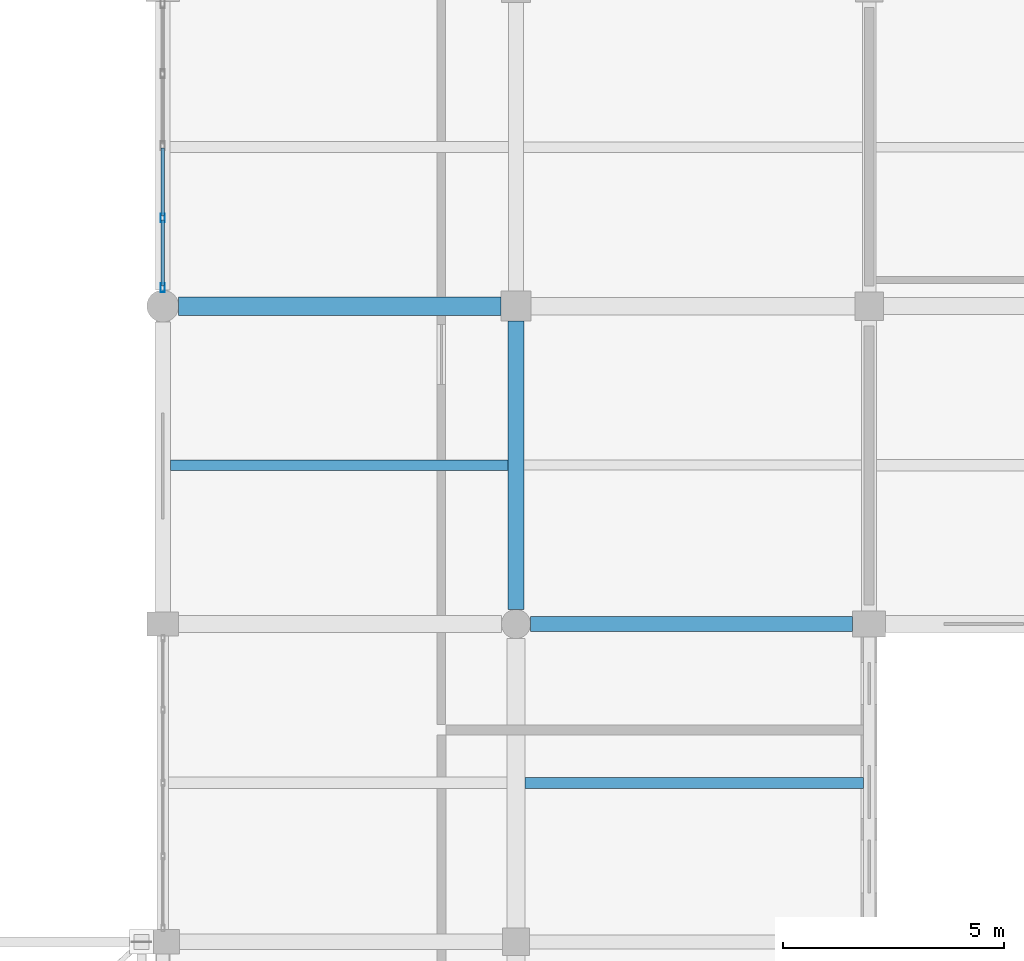
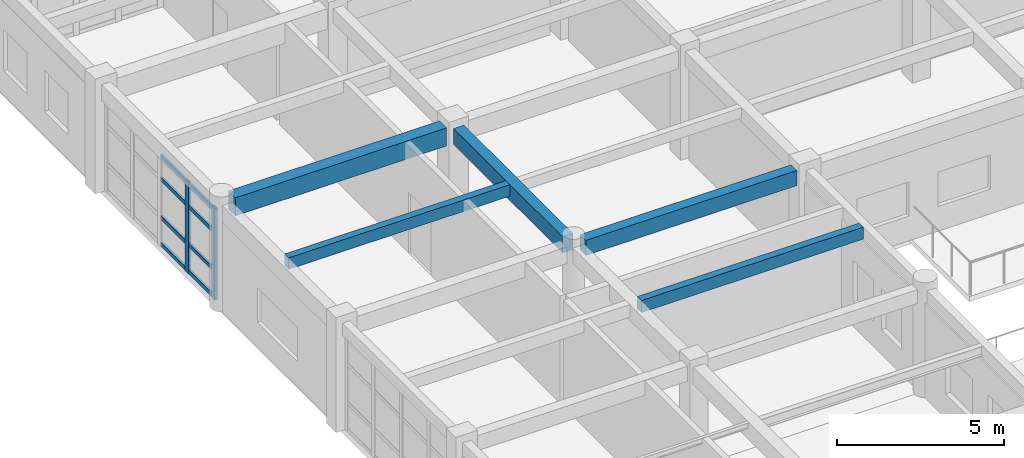
# One storey, part 109 of 195: 10 members, 5 beams, 1 element without a shape of its own.
"""IFC4 building model written with IfcOpenShell, lengths in metres."""

from ifc_helpers import new_model, si_unit, direction, frame, origin, origin_2d, place, context, subcontext, project, spatial, rectangle, hollow_rectangle, extrude, material, material_profile, profile_set, type_object, element, aggregate, save


model = new_model("IFC4")

# Units and contexts
model_context = context("Model", 3, precision=1e-05, world=origin(), true_north=direction((0.0, 1.0)))
body_context = subcontext(model_context, "Body", "Model", "MODEL_VIEW")
ifc_project = project(units=[si_unit("LENGTHUNIT", "METRE"), si_unit("AREAUNIT", "SQUARE_METRE"), si_unit("VOLUMEUNIT", "CUBIC_METRE"), si_unit("PLANEANGLEUNIT", "RADIAN"), si_unit("MASSUNIT", "GRAM", prefix="KILO")], contexts=[model_context])

# Site, building, storey
site_placement = place(None, origin())
site = spatial("IfcSite", under=ifc_project, at=site_placement, CompositionType="ELEMENT")
building_placement = place(site_placement, origin())
building = spatial("IfcBuilding", under=site, at=building_placement, Name="Kharva Crest Polytechnic", CompositionType="ELEMENT")
storey_placement = place(building_placement, frame((0.0, 0.0, 9.0)))
storey = spatial("IfcBuildingStorey", under=building, at=storey_placement, Name="L02", CompositionType="ELEMENT", Elevation=9.0)

# Beams
ifc_material_1 = material(Name="Concrete C35/45", Category="concrete")
ifc_material_profile_1 = material_profile(ifc_material_1, rectangle(XDim=0.35009765625, YDim=0.550048828125, at=origin_2d()), Name="RECT 350 X 550")
ifc_profile_set_1 = profile_set([ifc_material_profile_1], Name="Concrete C35/45")
beam_type_1 = type_object("IfcBeamType", Name="BM-RC-350X550", PredefinedType="BEAM", material=ifc_profile_set_1)
beam_1_placement = place(storey_placement, frame((40.330078125, 100.39990234375, 3.64501953125), z_axis=(1.0, 0.0, 0.0), x_axis=(0.0, 1.0, 0.0)))
element("IfcBeam", 1, at=beam_1_placement, inside=storey, type_object=beam_type_1, Name="L02 Beam P/6-7", PredefinedType="BEAM", context=body_context, shape_type="SweptSolid", body=[
    extrude(rectangle(XDim=0.35009765625, YDim=0.550048828125, at=origin_2d()), origin(), (0.0, 0.0, 1.0), 7.294921875),
])
ifc_material_profile_2 = material_profile(ifc_material_1, rectangle(XDim=0.360107421875, YDim=0.580078125, at=origin_2d()), Name="RECT 360 X 580")
ifc_profile_set_2 = profile_set([ifc_material_profile_2], Name="Concrete C35/45")
beam_type_2 = type_object("IfcBeamType", Name="BM-RC-360X580", PredefinedType="BEAM", material=ifc_profile_set_2)
beam_2_placement = place(storey_placement, frame((40.0, 100.72998046875, 3.6298828125), z_axis=(0.0, 1.0, 0.0), x_axis=(-1.0, 0.0, 0.0)))
element("IfcBeam", 2, at=beam_2_placement, inside=storey, type_object=beam_type_2, Name="L02 Girder 6/P-Q", PredefinedType="BEAM", context=body_context, shape_type="SweptSolid", body=[
    extrude(rectangle(XDim=0.360107421875, YDim=0.580078125, at=origin_2d()), origin(), (0.0, 0.0, 1.0), 6.530029296875),
])
ifc_material_profile_3 = material_profile(ifc_material_1, rectangle(XDim=0.419921875, YDim=0.659912109375, at=origin_2d()), Name="RECT 420 X 660")
ifc_profile_set_3 = profile_set([ifc_material_profile_3], Name="Concrete C35/45")
beam_type_3 = type_object("IfcBeamType", Name="BM-RC-420X660", PredefinedType="BEAM", material=ifc_profile_set_3)
beam_3_placement = place(storey_placement, frame((32.360107421875, 107.60009765625, 3.590087890625), z_axis=(1.0, 0.0, 0.0), x_axis=(0.0, 1.0, 0.0)))
element("IfcBeam", 3, at=beam_3_placement, inside=storey, type_object=beam_type_3, Name="L02 Beam Q/5-6", PredefinedType="BEAM", context=body_context, shape_type="SweptSolid", body=[
    extrude(rectangle(XDim=0.419921875, YDim=0.659912109375, at=origin_2d()), origin(), (0.0, 0.0, 1.0), 7.2998046875),
])

# Curtain wall, members
ifc_material_2 = material(Name="Tempered insulated glass", Category="glass")
curtain_wall_type = type_object("IfcCurtainWallType", Name="CW-SYS-LIBRARY", PredefinedType="USERDEFINED", material=ifc_material_2)
curtain_wall_placement = place(storey_placement, origin())
curtain_wall = element("IfcCurtainWall", 4, at=curtain_wall_placement, inside=storey, type_object=curtain_wall_type, Name="L02 Glazed Curtain Wall CW-123", ObjectType="CURTAIN WALL", PredefinedType="USERDEFINED")
ifc_material_3 = material(Name="Steel S355", Category="steel")
ifc_material_profile_4 = material_profile(ifc_material_3, hollow_rectangle(XDim=0.10009765625, YDim=0.199951171875, WallThickness=0.00634765625, at=origin_2d()), Name="RHS 200X100X6.3")
ifc_profile_set_4 = profile_set([ifc_material_profile_4], Name="Steel S355")
member_type_1 = type_object("IfcMemberType", Name="CWM-RHS200X100", PredefinedType="MULLION", material=ifc_profile_set_4)
member_1_placement = place(storey_placement, frame((32.0, 109.597412109375, 0.0), z_axis=(0.0, 0.0, 1.0), x_axis=(1.0, 0.0, 0.0)))
member_1 = element("IfcMember", 5, at=member_1_placement, type_object=member_type_1, Name="CW-123 mullion 4", PredefinedType="MULLION", context=body_context, shape_type="SweptSolid", body=[
    extrude(hollow_rectangle(XDim=0.10009765625, YDim=0.199951171875, WallThickness=0.00634765625, at=origin_2d()), origin(), (0.0, 0.0, 1.0), 3.340087890625),
])
member_2_placement = place(storey_placement, frame((32.0, 108.014892578125, 0.0), z_axis=(0.0, 0.0, 1.0), x_axis=(1.0, 0.0, 0.0)))
member_2 = element("IfcMember", 6, at=member_2_placement, type_object=member_type_1, Name="CW-123 mullion 5", PredefinedType="MULLION", context=body_context, shape_type="SweptSolid", body=[
    extrude(hollow_rectangle(XDim=0.10009765625, YDim=0.199951171875, WallThickness=0.00634765625, at=origin_2d()), origin(), (0.0, 0.0, 1.0), 3.340087890625),
])
ifc_material_profile_5 = material_profile(ifc_material_3, hollow_rectangle(XDim=0.070068359375, YDim=0.139892578125, WallThickness=0.00390625, at=origin_2d()), Name="RHS 140X70X4.0")
ifc_profile_set_5 = profile_set([ifc_material_profile_5], Name="Steel S355")
member_type_2 = type_object("IfcMemberType", Name="CWT-RHS140X70", PredefinedType="USERDEFINED", material=ifc_profile_set_5)
member_3_placement = place(storey_placement, frame((32.0, 111.179931640625, 0.070068359375), z_axis=(0.0, -1.0, 0.0), x_axis=(1.0, 0.0, 0.0)))
member_3 = element("IfcMember", 7, at=member_3_placement, type_object=member_type_2, Name="CW-123 transom 3.1", ObjectType="TRANSOM", PredefinedType="USERDEFINED", context=body_context, shape_type="SweptSolid", body=[
    extrude(hollow_rectangle(XDim=0.070068359375, YDim=0.139892578125, WallThickness=0.00390625, at=origin_2d()), origin(), (0.0, 0.0, 1.0), 1.532470703125),
])
member_4_placement = place(storey_placement, frame((32.0, 111.179931640625, 1.050048828125), z_axis=(0.0, -1.0, 0.0), x_axis=(1.0, 0.0, 0.0)))
member_4 = element("IfcMember", 8, at=member_4_placement, type_object=member_type_2, Name="CW-123 transom 3.2", ObjectType="TRANSOM", PredefinedType="USERDEFINED", context=body_context, shape_type="SweptSolid", body=[
    extrude(hollow_rectangle(XDim=0.070068359375, YDim=0.139892578125, WallThickness=0.00390625, at=origin_2d()), origin(), (0.0, 0.0, 1.0), 1.532470703125),
])
member_5_placement = place(storey_placement, frame((32.0, 111.179931640625, 2.449951171875), z_axis=(0.0, -1.0, 0.0), x_axis=(1.0, 0.0, 0.0)))
member_5 = element("IfcMember", 9, at=member_5_placement, type_object=member_type_2, Name="CW-123 transom 3.3", ObjectType="TRANSOM", PredefinedType="USERDEFINED", context=body_context, shape_type="SweptSolid", body=[
    extrude(hollow_rectangle(XDim=0.070068359375, YDim=0.139892578125, WallThickness=0.00390625, at=origin_2d()), origin(), (0.0, 0.0, 1.0), 1.532470703125),
])
member_6_placement = place(storey_placement, frame((32.0, 111.179931640625, 3.27001953125), z_axis=(0.0, -1.0, 0.0), x_axis=(1.0, 0.0, 0.0)))
member_6 = element("IfcMember", 10, at=member_6_placement, type_object=member_type_2, Name="CW-123 transom 3.4", ObjectType="TRANSOM", PredefinedType="USERDEFINED", context=body_context, shape_type="SweptSolid", body=[
    extrude(hollow_rectangle(XDim=0.070068359375, YDim=0.139892578125, WallThickness=0.00390625, at=origin_2d()), origin(), (0.0, 0.0, 1.0), 1.532470703125),
])
member_7_placement = place(storey_placement, frame((32.0, 109.547607421875, 0.070068359375), z_axis=(0.0, -1.0, 0.0), x_axis=(1.0, 0.0, 0.0)))
member_7 = element("IfcMember", 11, at=member_7_placement, type_object=member_type_2, Name="CW-123 transom 4.1", ObjectType="TRANSOM", PredefinedType="USERDEFINED", context=body_context, shape_type="SweptSolid", body=[
    extrude(hollow_rectangle(XDim=0.070068359375, YDim=0.139892578125, WallThickness=0.00390625, at=origin_2d()), origin(), (0.0, 0.0, 1.0), 1.482666015625),
])
member_8_placement = place(storey_placement, frame((32.0, 109.547607421875, 1.050048828125), z_axis=(0.0, -1.0, 0.0), x_axis=(1.0, 0.0, 0.0)))
member_8 = element("IfcMember", 12, at=member_8_placement, type_object=member_type_2, Name="CW-123 transom 4.2", ObjectType="TRANSOM", PredefinedType="USERDEFINED", context=body_context, shape_type="SweptSolid", body=[
    extrude(hollow_rectangle(XDim=0.070068359375, YDim=0.139892578125, WallThickness=0.00390625, at=origin_2d()), origin(), (0.0, 0.0, 1.0), 1.482666015625),
])
member_9_placement = place(storey_placement, frame((32.0, 109.547607421875, 2.449951171875), z_axis=(0.0, -1.0, 0.0), x_axis=(1.0, 0.0, 0.0)))
member_9 = element("IfcMember", 13, at=member_9_placement, type_object=member_type_2, Name="CW-123 transom 4.3", ObjectType="TRANSOM", PredefinedType="USERDEFINED", context=body_context, shape_type="SweptSolid", body=[
    extrude(hollow_rectangle(XDim=0.070068359375, YDim=0.139892578125, WallThickness=0.00390625, at=origin_2d()), origin(), (0.0, 0.0, 1.0), 1.482666015625),
])
member_10_placement = place(storey_placement, frame((32.0, 109.547607421875, 3.27001953125), z_axis=(0.0, -1.0, 0.0), x_axis=(1.0, 0.0, 0.0)))
member_10 = element("IfcMember", 14, at=member_10_placement, type_object=member_type_2, Name="CW-123 transom 4.4", ObjectType="TRANSOM", PredefinedType="USERDEFINED", context=body_context, shape_type="SweptSolid", body=[
    extrude(hollow_rectangle(XDim=0.070068359375, YDim=0.139892578125, WallThickness=0.00390625, at=origin_2d()), origin(), (0.0, 0.0, 1.0), 1.482666015625),
])
aggregate(curtain_wall, [member_1, member_2, member_3, member_4, member_5, member_6, member_7, member_8, member_9, member_10])

# Beams
ifc_material_profile_6 = material_profile(ifc_material_1, rectangle(XDim=0.239990234375, YDim=0.419921875, at=origin_2d()), Name="RECT 240 X 420")
ifc_profile_set_6 = profile_set([ifc_material_profile_6], Name="Concrete C35/45")
beam_type_4 = type_object("IfcBeamType", Name="JS-RC-240X420", PredefinedType="JOIST", material=ifc_profile_set_6)
beam_4_placement = place(storey_placement, frame((32.175048828125, 104.0, 3.7099609375), z_axis=(1.0, 0.0, 0.0), x_axis=(0.0, 1.0, 0.0)))
element("IfcBeam", 15, at=beam_4_placement, inside=storey, type_object=beam_type_4, Name="L02 Floor Joist 15", PredefinedType="JOIST", context=body_context, shape_type="SweptSolid", body=[
    extrude(rectangle(XDim=0.239990234375, YDim=0.419921875, at=origin_2d()), origin(), (0.0, 0.0, 1.0), 7.64501953125),
])
ifc_material_profile_7 = material_profile(ifc_material_1, rectangle(XDim=0.25, YDim=0.43994140625, at=origin_2d()), Name="RECT 250 X 440")
ifc_profile_set_7 = profile_set([ifc_material_profile_7], Name="Concrete C35/45")
beam_type_5 = type_object("IfcBeamType", Name="JS-RC-250X440", PredefinedType="JOIST", material=ifc_profile_set_7)
beam_5_placement = place(storey_placement, frame((40.199951171875, 96.800048828125, 3.699951171875), z_axis=(1.0, 0.0, 0.0), x_axis=(0.0, 1.0, 0.0)))
element("IfcBeam", 16, at=beam_5_placement, inside=storey, type_object=beam_type_5, Name="L02 Floor Joist 14", PredefinedType="JOIST", context=body_context, shape_type="SweptSolid", body=[
    extrude(rectangle(XDim=0.25, YDim=0.43994140625, at=origin_2d()), origin(), (0.0, 0.0, 1.0), 7.670166015625),
])

save(model, "model.ifc")
